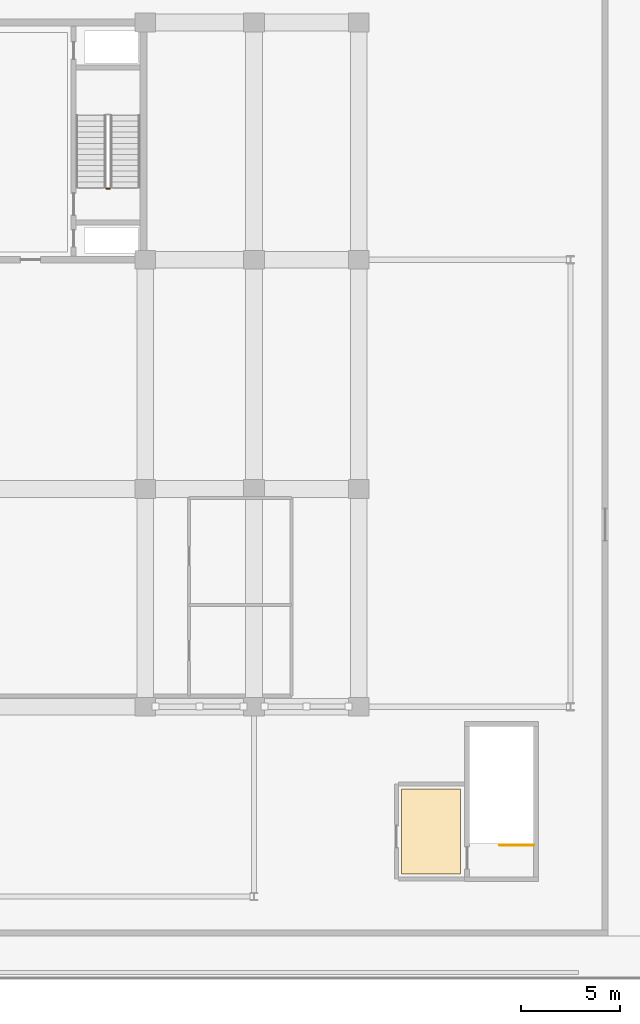
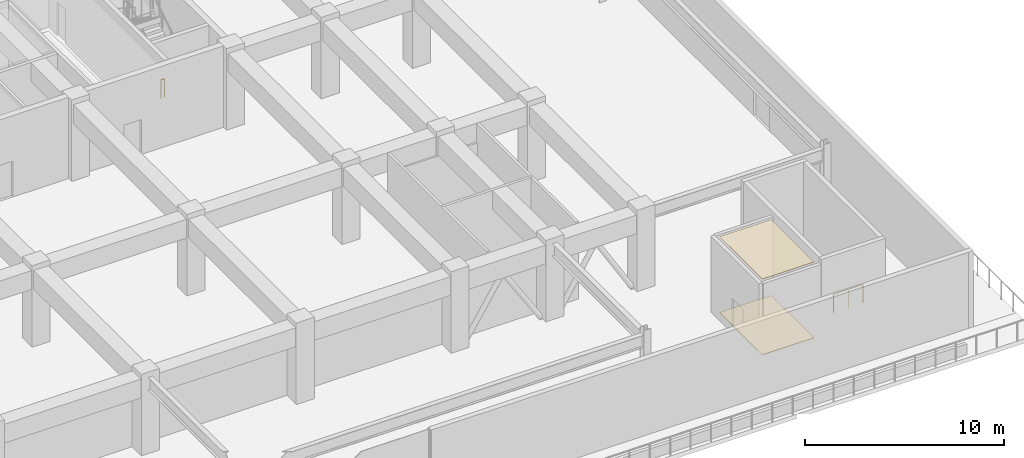
# One storey, part 34 of 38: 2 coverings, 2 railings.
"""IFC4 building model written with IfcOpenShell, lengths in metres."""

from ifc_helpers import new_model, si_unit, direction, frame, origin, origin_2d, place, context, subcontext, project, spatial, polyline, circle, outline, extrude, material, layer, layer_set, type_object, element, save


model = new_model("IFC4")

# Units and contexts
model_context = context("Model", 3, precision=1e-05, world=origin(), true_north=direction((0.0, 1.0)))
body_context = subcontext(model_context, "Body", "Model", "MODEL_VIEW")
ifc_project = project(units=[si_unit("LENGTHUNIT", "METRE"), si_unit("AREAUNIT", "SQUARE_METRE"), si_unit("VOLUMEUNIT", "CUBIC_METRE"), si_unit("PLANEANGLEUNIT", "RADIAN"), si_unit("MASSUNIT", "GRAM", prefix="KILO")], contexts=[model_context])

# Site, building, storey
site_placement = place(None, origin())
site = spatial("IfcSite", under=ifc_project, at=site_placement, CompositionType="ELEMENT")
building_placement = place(site_placement, origin())
building = spatial("IfcBuilding", under=site, at=building_placement, Name="Korimba Cascade Residences", CompositionType="ELEMENT")
storey_placement = place(building_placement, frame((0.0, 0.0, 19.0)))
storey = spatial("IfcBuildingStorey", under=building, at=storey_placement, Name="L04", CompositionType="ELEMENT", Elevation=19.0)

# Coverings
ifc_material_1 = material(Name="Perforated Acoustic Gypsum Ceiling", Category="gypsum")
ifc_layer_1 = layer(ifc_material_1, 0.02490234375)
ifc_layer_set_1 = layer_set([ifc_layer_1], Name="Perforated Acoustic Gypsum Ceiling")
covering_type_1 = type_object("IfcCoveringType", Name="COV-CLG-AC", PredefinedType="CEILING", material=ifc_layer_set_1)
covering_1_placement = place(storey_placement, frame((0.0, 0.0, 4.655029296875)))
element("IfcCovering", 1, at=covering_1_placement, inside=storey, type_object=covering_type_1, Name="L04 Suspended Acoustic Ceiling L04-PL6", PredefinedType="CEILING", context=body_context, shape_type="SweptSolid", body=[
    extrude(outline(polyline([(131.050048828125, -12.64990234375), (134.050048828125, -12.64990234375), (134.050048828125, -8.35009765625), (131.050048828125, -8.35009765625), (131.050048828125, -12.64990234375)])), origin(), (0.0, 0.0, 1.0), 0.02490234375),
])
ifc_material_2 = material(Name="Honed Travertine Stone Flooring", Category="masonry")
ifc_layer_2 = layer(ifc_material_2, 0.02490234375)
ifc_layer_set_2 = layer_set([ifc_layer_2], Name="Honed Travertine Stone Flooring")
covering_type_2 = type_object("IfcCoveringType", Name="COV-FLR-STN", PredefinedType="FLOORING", material=ifc_layer_set_2)
covering_2_placement = place(storey_placement, origin())
element("IfcCovering", 2, at=covering_2_placement, inside=storey, type_object=covering_type_2, Name="L04 Honed Travertine Stone Flooring L04-PL6", PredefinedType="FLOORING", context=body_context, shape_type="SweptSolid", body=[
    extrude(outline(polyline([(131.050048828125, -12.64990234375), (134.050048828125, -12.64990234375), (134.050048828125, -8.35009765625), (131.050048828125, -8.35009765625), (131.050048828125, -12.64990234375)])), origin(), (0.0, 0.0, 1.0), 0.02490234375),
])

# Railings
ifc_material_3 = material(Name="Painted Steel Stairwell Guardrail", Category="steel")
railing_type = type_object("IfcRailingType", Name="RLG-ST-GD1150", PredefinedType="GUARDRAIL", material=ifc_material_3)
railing_1_placement = place(storey_placement, frame((116.320068359375, 22.0, 0.0)))
element("IfcRailing", 3, at=railing_1_placement, inside=storey, type_object=railing_type, Name="L04 ST-E2 stair guard 4", PredefinedType="GUARDRAIL", context=body_context, shape_type="SweptSolid", body=[
    extrude(circle(Radius=0.02392578125, at=origin_2d()), frame((0.0, 0.0, 1.1259765625), z_axis=(-1.0, 0.0, 0.0), x_axis=(0.0, -1.0, 0.0)), (0.0, 0.0, 1.0), 0.199951171875),
    extrude(circle(Radius=0.02099609375, at=origin_2d()), origin(), (0.0, 0.0, 1.0), 1.101806640625),
    extrude(circle(Radius=0.02099609375, at=origin_2d()), frame((-0.199951171875, 0.0, 0.0)), (0.0, 0.0, 1.0), 1.101806640625),
])
railing_2_placement = place(storey_placement, frame((137.739990234375, -11.199951171875, 0.0)))
element("IfcRailing", 4, at=railing_2_placement, inside=storey, type_object=railing_type, Name="L04 ST-P6 top well guard 1", PredefinedType="GUARDRAIL", context=body_context, shape_type="SweptSolid", body=[
    extrude(circle(Radius=0.02392578125, at=origin_2d()), frame((0.0, 0.0, 1.1259765625), z_axis=(-1.0, 0.0, 0.0), x_axis=(0.0, -1.0, 0.0)), (0.0, 0.0, 1.0), 1.719970703125),
    extrude(circle(Radius=0.02099609375, at=origin_2d()), origin(), (0.0, 0.0, 1.0), 1.101806640625),
    extrude(circle(Radius=0.02099609375, at=origin_2d()), frame((-0.85986328125, 0.0, 0.0)), (0.0, 0.0, 1.0), 1.101806640625),
    extrude(circle(Radius=0.02099609375, at=origin_2d()), frame((-1.719970703125, 0.0, 0.0)), (0.0, 0.0, 1.0), 1.101806640625),
])

save(model, "model.ifc")
